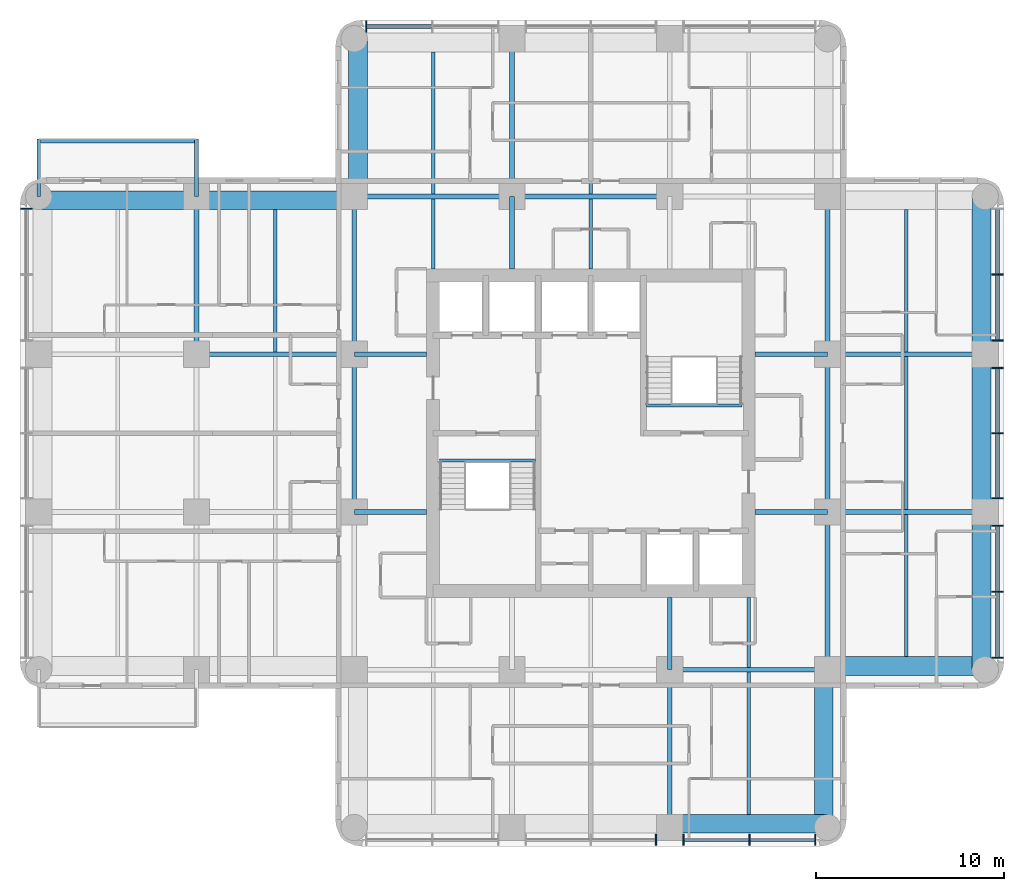
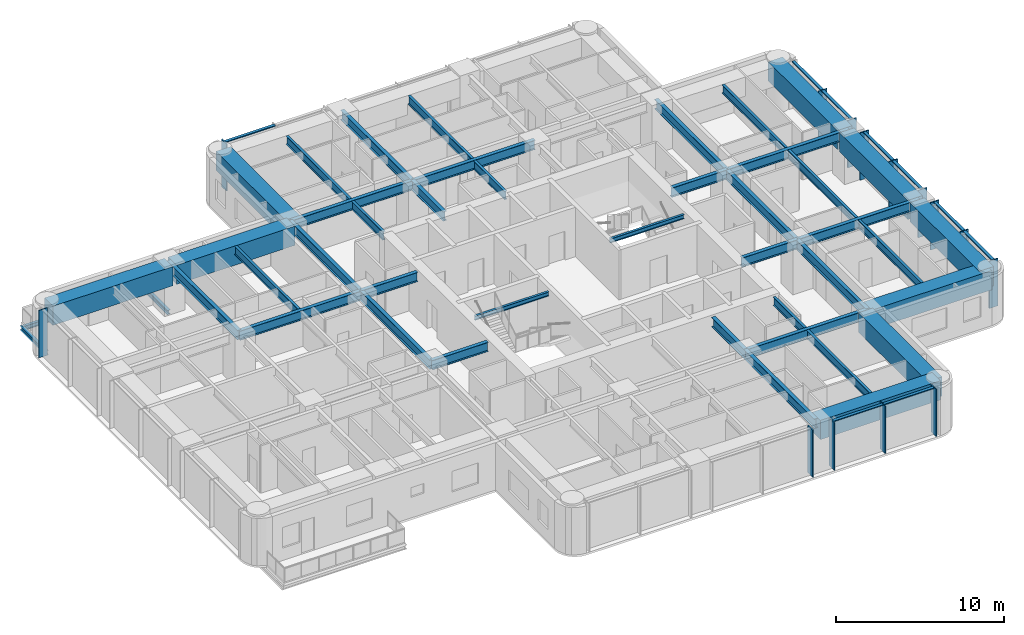
# One storey, part 2 of 11: 44 beams, 23 members, 4 elements without a shape of their own.
"""IFC4 building model written with IfcOpenShell, lengths in metres."""

from ifc_helpers import new_model, si_unit, direction, frame, origin, origin_2d, place, context, subcontext, project, spatial, rectangle, i_section, extrude, material, material_profile, profile_set, type_object, element, aggregate, save


model = new_model("IFC4")

# Units and contexts
model_context = context("Model", 3, precision=1e-05, world=origin(), true_north=direction((0.0, 1.0)))
body_context = subcontext(model_context, "Body", "Model", "MODEL_VIEW")
ifc_project = project(units=[si_unit("LENGTHUNIT", "METRE"), si_unit("AREAUNIT", "SQUARE_METRE"), si_unit("VOLUMEUNIT", "CUBIC_METRE"), si_unit("PLANEANGLEUNIT", "RADIAN"), si_unit("MASSUNIT", "GRAM", prefix="KILO")], contexts=[model_context])

# Site, building, storey
site_placement = place(None, origin())
site = spatial("IfcSite", under=ifc_project, at=site_placement, CompositionType="ELEMENT")
building_placement = place(site_placement, origin())
building = spatial("IfcBuilding", under=site, at=building_placement, Name="Torre Alcanfor", CompositionType="ELEMENT")
storey_placement = place(building_placement, frame((0.0, 0.0, 215.699951171875)))
storey = spatial("IfcBuildingStorey", under=building, at=storey_placement, Name="L56", CompositionType="ELEMENT", Elevation=215.699951171875)

# Beams
ifc_material_1 = material(Name="Steel ASTM A992 Grade 50", Category="steel")
ifc_material_profile_1 = material_profile(ifc_material_1, i_section(OverallWidth=0.205322265625, OverallDepth=0.309814453125, WebThickness=0.00927734375, FlangeThickness=0.016357421875, at=origin_2d()), Name="W12x50")
ifc_profile_set_1 = profile_set([ifc_material_profile_1], Name="Steel ASTM A992 Grade 50")
beam_type_1 = type_object("IfcBeamType", Name="Balcony cantilever beam W12x50", PredefinedType="BEAM", material=ifc_profile_set_1)
for number, where, z_axis, x_axis, name in (
    (1, (8.39990234375, 42.0, -0.35498046875), (0.0, 1.0, 0.0), (-1.0, 0.0, 0.0), "Balcony cantilever beam L56-W2 1"),
    (2, (0.0, 42.0, -0.35498046875), (0.0, 1.0, 0.0), (-1.0, 0.0, 0.0), "Balcony cantilever beam L56-W2 2"),
):
    element("IfcBeam", number, at=place(storey_placement, frame(where, z_axis=z_axis, x_axis=x_axis)), inside=storey, type_object=beam_type_1, Name=name, PredefinedType="BEAM", context=body_context, shape_type="SweptSolid", body=[
        extrude(i_section(OverallWidth=0.205322265625, OverallDepth=0.309814453125, WebThickness=0.00927734375, FlangeThickness=0.016357421875, at=origin_2d()), origin(), (0.0, 0.0, 1.0), 3.050048828125),
    ])
ifc_material_2 = material(Name="Steel ASTM A992 Grade 50", Category="steel")
ifc_material_profile_2 = material_profile(ifc_material_2, i_section(OverallWidth=0.203369140625, OverallDepth=0.30224609375, WebThickness=0.007568359375, FlangeThickness=0.01318359375, at=origin_2d()), Name="W12x40")
ifc_profile_set_2 = profile_set([ifc_material_profile_2], Name="Steel ASTM A992 Grade 50")
beam_type_2 = type_object("IfcBeamType", Name="Balcony edge trimmer W12x40", PredefinedType="BEAM", material=ifc_profile_set_2)
beam_1_placement = place(storey_placement, frame((8.39990234375, 44.9482421875, -0.35107421875), z_axis=(-1.0, 0.0, 0.0), x_axis=(0.0, -1.0, 0.0)))
element("IfcBeam", 3, at=beam_1_placement, inside=storey, type_object=beam_type_2, Name="Balcony edge trimmer L56-W2", PredefinedType="BEAM", context=body_context, shape_type="SweptSolid", body=[
    extrude(i_section(OverallWidth=0.203369140625, OverallDepth=0.30224609375, WebThickness=0.007568359375, FlangeThickness=0.01318359375, at=origin_2d()), origin(), (0.0, 0.0, 1.0), 8.39990234375),
])

# Curtain wall, member
ifc_material_3 = material(Name="Aluminium and glass", Category="aluminium")
curtain_wall_type = type_object("IfcCurtainWallType", Name="CW-A unitised apartment glazing with vertical FIN", PredefinedType="NOTDEFINED", material=ifc_material_3)
curtain_wall_1_placement = place(storey_placement, origin())
curtain_wall_1 = element("IfcCurtainWall", 4, at=curtain_wall_1_placement, inside=storey, type_object=curtain_wall_type, Name="Curtain wall CW-A L56 2", PredefinedType="NOTDEFINED")
ifc_material_4 = material(Name="Bronze anodised aluminium", Category="aluminium")
ifc_material_profile_3 = material_profile(ifc_material_4, rectangle(XDim=0.60009765625, YDim=0.06494140625, at=origin_2d()), Name="CW-A mullion 65x600")
ifc_profile_set_3 = profile_set([ifc_material_profile_3], Name="Bronze anodised aluminium")
member_type_1 = type_object("IfcMemberType", Name="CW-A mullion with vertical FIN 65x600", PredefinedType="MULLION", material=ifc_profile_set_3)
member_1_placement = place(storey_placement, frame((-0.64990234375, 41.35546875, 0.0), z_axis=(0.0, 0.0, 1.0), x_axis=(1.0, 0.0, 0.0)))
member_1 = element("IfcMember", 5, at=member_1_placement, type_object=member_type_1, Name="CW-A mullion 1.1", PredefinedType="MULLION", context=body_context, shape_type="SweptSolid", body=[
    extrude(rectangle(XDim=0.60009765625, YDim=0.06494140625, at=origin_2d()), origin(), (0.0, 0.0, 1.0), 3.449951171875),
])
aggregate(curtain_wall_1, [member_1])

# Curtain wall, members
curtain_wall_2_placement = place(storey_placement, origin())
curtain_wall_2 = element("IfcCurtainWall", 6, at=curtain_wall_2_placement, inside=storey, type_object=curtain_wall_type, Name="Curtain wall CW-A L56 5", PredefinedType="NOTDEFINED")
member_2_placement = place(storey_placement, frame((32.862548828125, 7.75, 0.0), z_axis=(0.0, 0.0, 1.0), x_axis=(0.0, 1.0, 0.0)))
member_2 = element("IfcMember", 7, at=member_2_placement, type_object=member_type_1, Name="CW-A mullion 2.3", PredefinedType="MULLION", context=body_context, shape_type="SweptSolid", body=[
    extrude(rectangle(XDim=0.60009765625, YDim=0.06494140625, at=origin_2d()), origin(), (0.0, 0.0, 1.0), 3.449951171875),
])
member_3_placement = place(storey_placement, frame((34.33740234375, 7.75, 0.0), z_axis=(0.0, 0.0, 1.0), x_axis=(0.0, 1.0, 0.0)))
member_3 = element("IfcMember", 8, at=member_3_placement, type_object=member_type_1, Name="CW-A mullion 3.1", PredefinedType="MULLION", context=body_context, shape_type="SweptSolid", body=[
    extrude(rectangle(XDim=0.60009765625, YDim=0.06494140625, at=origin_2d()), origin(), (0.0, 0.0, 1.0), 3.449951171875),
])
member_4_placement = place(storey_placement, frame((37.846435546875, 7.75, 0.0), z_axis=(0.0, 0.0, 1.0), x_axis=(0.0, 1.0, 0.0)))
member_4 = element("IfcMember", 9, at=member_4_placement, type_object=member_type_1, Name="CW-A mullion 3.2", PredefinedType="MULLION", context=body_context, shape_type="SweptSolid", body=[
    extrude(rectangle(XDim=0.60009765625, YDim=0.06494140625, at=origin_2d()), origin(), (0.0, 0.0, 1.0), 3.449951171875),
])
member_5_placement = place(storey_placement, frame((41.35546875, 7.75, 0.0), z_axis=(0.0, 0.0, 1.0), x_axis=(0.0, 1.0, 0.0)))
member_5 = element("IfcMember", 10, at=member_5_placement, type_object=member_type_1, Name="CW-A mullion 3.3", PredefinedType="MULLION", context=body_context, shape_type="SweptSolid", body=[
    extrude(rectangle(XDim=0.60009765625, YDim=0.06494140625, at=origin_2d()), origin(), (0.0, 0.0, 1.0), 3.449951171875),
])

curtain_wall_3_placement = place(storey_placement, origin())
curtain_wall_3 = element("IfcCurtainWall", 11, at=curtain_wall_3_placement, inside=storey, type_object=curtain_wall_type, Name="Curtain wall CW-A L56 8", PredefinedType="NOTDEFINED")
member_6_placement = place(storey_placement, frame((51.050048828125, 17.444580078125, 0.0), z_axis=(0.0, 0.0, 1.0), x_axis=(-1.0, 0.0, 0.0)))
member_6 = element("IfcMember", 12, at=member_6_placement, type_object=member_type_1, Name="CW-A mullion 1.1", PredefinedType="MULLION", context=body_context, shape_type="SweptSolid", body=[
    extrude(rectangle(XDim=0.60009765625, YDim=0.06494140625, at=origin_2d()), origin(), (0.0, 0.0, 1.0), 3.449951171875),
])
member_7_placement = place(storey_placement, frame((51.050048828125, 20.95361328125, 0.0), z_axis=(0.0, 0.0, 1.0), x_axis=(-1.0, 0.0, 0.0)))
member_7 = element("IfcMember", 13, at=member_7_placement, type_object=member_type_1, Name="CW-A mullion 1.2", PredefinedType="MULLION", context=body_context, shape_type="SweptSolid", body=[
    extrude(rectangle(XDim=0.60009765625, YDim=0.06494140625, at=origin_2d()), origin(), (0.0, 0.0, 1.0), 3.449951171875),
])
member_8_placement = place(storey_placement, frame((51.050048828125, 24.46240234375, 0.0), z_axis=(0.0, 0.0, 1.0), x_axis=(-1.0, 0.0, 0.0)))
member_8 = element("IfcMember", 14, at=member_8_placement, type_object=member_type_1, Name="CW-A mullion 1.3", PredefinedType="MULLION", context=body_context, shape_type="SweptSolid", body=[
    extrude(rectangle(XDim=0.60009765625, YDim=0.06494140625, at=origin_2d()), origin(), (0.0, 0.0, 1.0), 3.449951171875),
])
member_9_placement = place(storey_placement, frame((51.050048828125, 25.9375, 0.0), z_axis=(0.0, 0.0, 1.0), x_axis=(-1.0, 0.0, 0.0)))
member_9 = element("IfcMember", 15, at=member_9_placement, type_object=member_type_1, Name="CW-A mullion 2.1", PredefinedType="MULLION", context=body_context, shape_type="SweptSolid", body=[
    extrude(rectangle(XDim=0.60009765625, YDim=0.06494140625, at=origin_2d()), origin(), (0.0, 0.0, 1.0), 3.449951171875),
])
member_10_placement = place(storey_placement, frame((51.050048828125, 29.39990234375, 0.0), z_axis=(0.0, 0.0, 1.0), x_axis=(-1.0, 0.0, 0.0)))
member_10 = element("IfcMember", 16, at=member_10_placement, type_object=member_type_1, Name="CW-A mullion 2.2", PredefinedType="MULLION", context=body_context, shape_type="SweptSolid", body=[
    extrude(rectangle(XDim=0.60009765625, YDim=0.06494140625, at=origin_2d()), origin(), (0.0, 0.0, 1.0), 3.449951171875),
])
member_11_placement = place(storey_placement, frame((51.050048828125, 32.862548828125, 0.0), z_axis=(0.0, 0.0, 1.0), x_axis=(-1.0, 0.0, 0.0)))
member_11 = element("IfcMember", 17, at=member_11_placement, type_object=member_type_1, Name="CW-A mullion 2.3", PredefinedType="MULLION", context=body_context, shape_type="SweptSolid", body=[
    extrude(rectangle(XDim=0.60009765625, YDim=0.06494140625, at=origin_2d()), origin(), (0.0, 0.0, 1.0), 3.449951171875),
])
member_12_placement = place(storey_placement, frame((51.050048828125, 34.33740234375, 0.0), z_axis=(0.0, 0.0, 1.0), x_axis=(-1.0, 0.0, 0.0)))
member_12 = element("IfcMember", 18, at=member_12_placement, type_object=member_type_1, Name="CW-A mullion 3.1", PredefinedType="MULLION", context=body_context, shape_type="SweptSolid", body=[
    extrude(rectangle(XDim=0.60009765625, YDim=0.06494140625, at=origin_2d()), origin(), (0.0, 0.0, 1.0), 3.449951171875),
])
member_13_placement = place(storey_placement, frame((51.050048828125, 37.846435546875, 0.0), z_axis=(0.0, 0.0, 1.0), x_axis=(-1.0, 0.0, 0.0)))
member_13 = element("IfcMember", 19, at=member_13_placement, type_object=member_type_1, Name="CW-A mullion 3.2", PredefinedType="MULLION", context=body_context, shape_type="SweptSolid", body=[
    extrude(rectangle(XDim=0.60009765625, YDim=0.06494140625, at=origin_2d()), origin(), (0.0, 0.0, 1.0), 3.449951171875),
])

# Curtain wall, member
curtain_wall_4_placement = place(storey_placement, origin())
curtain_wall_4 = element("IfcCurtainWall", 20, at=curtain_wall_4_placement, inside=storey, type_object=curtain_wall_type, Name="Curtain wall CW-A L56 11", PredefinedType="NOTDEFINED")
member_14_placement = place(storey_placement, frame((17.444580078125, 51.050048828125, 0.0), z_axis=(0.0, 0.0, 1.0), x_axis=(0.0, -1.0, 0.0)))
member_14 = element("IfcMember", 21, at=member_14_placement, type_object=member_type_1, Name="CW-A mullion 3.3", PredefinedType="MULLION", context=body_context, shape_type="SweptSolid", body=[
    extrude(rectangle(XDim=0.60009765625, YDim=0.06494140625, at=origin_2d()), origin(), (0.0, 0.0, 1.0), 3.449951171875),
])

# Member
ifc_material_5 = material(Name="Extruded aluminium", Category="aluminium")
ifc_material_profile_4 = material_profile(ifc_material_5, rectangle(XDim=0.199951171875, YDim=0.06494140625, at=origin_2d()), Name="CW-A transom 200x65")
ifc_profile_set_4 = profile_set([ifc_material_profile_4], Name="Extruded aluminium")
member_type_2 = type_object("IfcMemberType", Name="CW-A transom 65x200", PredefinedType="USERDEFINED", material=ifc_profile_set_4)
member_15_placement = place(storey_placement, frame((34.3701171875, 7.75, 3.41748046875), z_axis=(1.0, 0.0, 0.0), x_axis=(0.0, 1.0, 0.0)))
member_15 = element("IfcMember", 22, at=member_15_placement, type_object=member_type_2, Name="CW-A transom 3.1.2", ObjectType="TRANSOM", PredefinedType="USERDEFINED", context=body_context, shape_type="SweptSolid", body=[
    extrude(rectangle(XDim=0.199951171875, YDim=0.06494140625, at=origin_2d()), origin(), (0.0, 0.0, 1.0), 3.44384765625),
])

member_16_placement = place(storey_placement, frame((37.87890625, 7.75, 3.41748046875), z_axis=(1.0, 0.0, 0.0), x_axis=(0.0, 1.0, 0.0)))
member_16 = element("IfcMember", 23, at=member_16_placement, type_object=member_type_2, Name="CW-A transom 3.2.2", ObjectType="TRANSOM", PredefinedType="USERDEFINED", context=body_context, shape_type="SweptSolid", body=[
    extrude(rectangle(XDim=0.199951171875, YDim=0.06494140625, at=origin_2d()), origin(), (0.0, 0.0, 1.0), 3.444091796875),
])

aggregate(curtain_wall_2, [member_2, member_3, member_4, member_5, member_15, member_16])

member_17_placement = place(storey_placement, frame((51.050048828125, 17.47705078125, 3.41748046875), z_axis=(0.0, 1.0, 0.0), x_axis=(-1.0, 0.0, 0.0)))
member_17 = element("IfcMember", 24, at=member_17_placement, type_object=member_type_2, Name="CW-A transom 1.1.2", ObjectType="TRANSOM", PredefinedType="USERDEFINED", context=body_context, shape_type="SweptSolid", body=[
    extrude(rectangle(XDim=0.199951171875, YDim=0.06494140625, at=origin_2d()), origin(), (0.0, 0.0, 1.0), 3.44384765625),
])

member_18_placement = place(storey_placement, frame((51.050048828125, 20.986083984375, 3.41748046875), z_axis=(0.0, 1.0, 0.0), x_axis=(-1.0, 0.0, 0.0)))
member_18 = element("IfcMember", 25, at=member_18_placement, type_object=member_type_2, Name="CW-A transom 1.2.2", ObjectType="TRANSOM", PredefinedType="USERDEFINED", context=body_context, shape_type="SweptSolid", body=[
    extrude(rectangle(XDim=0.199951171875, YDim=0.06494140625, at=origin_2d()), origin(), (0.0, 0.0, 1.0), 3.44384765625),
])

member_19_placement = place(storey_placement, frame((51.050048828125, 25.969970703125, 3.41748046875), z_axis=(0.0, 1.0, 0.0), x_axis=(-1.0, 0.0, 0.0)))
member_19 = element("IfcMember", 26, at=member_19_placement, type_object=member_type_2, Name="CW-A transom 2.1.2", ObjectType="TRANSOM", PredefinedType="USERDEFINED", context=body_context, shape_type="SweptSolid", body=[
    extrude(rectangle(XDim=0.199951171875, YDim=0.06494140625, at=origin_2d()), origin(), (0.0, 0.0, 1.0), 3.3974609375),
])

member_20_placement = place(storey_placement, frame((51.050048828125, 29.4326171875, 3.41748046875), z_axis=(0.0, 1.0, 0.0), x_axis=(-1.0, 0.0, 0.0)))
member_20 = element("IfcMember", 27, at=member_20_placement, type_object=member_type_2, Name="CW-A transom 2.2.2", ObjectType="TRANSOM", PredefinedType="USERDEFINED", context=body_context, shape_type="SweptSolid", body=[
    extrude(rectangle(XDim=0.199951171875, YDim=0.06494140625, at=origin_2d()), origin(), (0.0, 0.0, 1.0), 3.3974609375),
])

member_21_placement = place(storey_placement, frame((51.050048828125, 34.3701171875, 3.41748046875), z_axis=(0.0, 1.0, 0.0), x_axis=(-1.0, 0.0, 0.0)))
member_21 = element("IfcMember", 28, at=member_21_placement, type_object=member_type_2, Name="CW-A transom 3.1.2", ObjectType="TRANSOM", PredefinedType="USERDEFINED", context=body_context, shape_type="SweptSolid", body=[
    extrude(rectangle(XDim=0.199951171875, YDim=0.06494140625, at=origin_2d()), origin(), (0.0, 0.0, 1.0), 3.44384765625),
])

member_22_placement = place(storey_placement, frame((51.050048828125, 37.87890625, 3.41748046875), z_axis=(0.0, 1.0, 0.0), x_axis=(-1.0, 0.0, 0.0)))
member_22 = element("IfcMember", 29, at=member_22_placement, type_object=member_type_2, Name="CW-A transom 3.2.2", ObjectType="TRANSOM", PredefinedType="USERDEFINED", context=body_context, shape_type="SweptSolid", body=[
    extrude(rectangle(XDim=0.199951171875, YDim=0.06494140625, at=origin_2d()), origin(), (0.0, 0.0, 1.0), 3.444091796875),
])

aggregate(curtain_wall_3, [member_6, member_7, member_8, member_17, member_18, member_9, member_10, member_11, member_19, member_20, member_12, member_13, member_21, member_22])

member_23_placement = place(storey_placement, frame((20.9208984375, 51.050048828125, 3.41748046875), z_axis=(-1.0, 0.0, 0.0), x_axis=(0.0, -1.0, 0.0)))
member_23 = element("IfcMember", 30, at=member_23_placement, type_object=member_type_2, Name="CW-A transom 3.2.2", ObjectType="TRANSOM", PredefinedType="USERDEFINED", context=body_context, shape_type="SweptSolid", body=[
    extrude(rectangle(XDim=0.199951171875, YDim=0.06494140625, at=origin_2d()), origin(), (0.0, 0.0, 1.0), 3.44384765625),
])

aggregate(curtain_wall_4, [member_14, member_23])

# Beams
ifc_material_6 = material(Name="Steel ASTM A992 Grade 50", Category="steel")
ifc_material_profile_5 = material_profile(ifc_material_6, i_section(OverallWidth=0.25390625, OverallDepth=0.683349609375, WebThickness=0.012451171875, FlangeThickness=0.01904296875, at=origin_2d()), Name="W27x94")
ifc_profile_set_5 = profile_set([ifc_material_profile_5], Name="Steel ASTM A992 Grade 50")
beam_type_3 = type_object("IfcBeamType", Name="Girder W27x94", PredefinedType="BEAM", material=ifc_profile_set_5)
for number, where, z_axis, x_axis, name in (
    (31, (33.60009765625, 16.800048828125, 3.1083984375), (1.0, 0.0, 0.0), (0.0, 1.0, 0.0), "Beam 5E-6E under L57"),
    (32, (42.0, 25.199951171875, 3.1083984375), (1.0, 0.0, 0.0), (0.0, 1.0, 0.0), "Beam 6F-7F under L57"),
):
    element("IfcBeam", number, at=place(storey_placement, frame(where, z_axis=z_axis, x_axis=x_axis)), inside=storey, type_object=beam_type_3, Name=name, PredefinedType="BEAM", context=body_context, shape_type="SweptSolid", body=[
        extrude(i_section(OverallWidth=0.25390625, OverallDepth=0.683349609375, WebThickness=0.012451171875, FlangeThickness=0.01904296875, at=origin_2d()), origin(), (0.0, 0.0, 1.0), 8.39990234375),
    ])
beam_2_placement = place(storey_placement, frame((8.39990234375, 33.60009765625, 3.1083984375), z_axis=(1.0, 0.0, 0.0), x_axis=(0.0, 1.0, 0.0)))
element("IfcBeam", 33, at=beam_2_placement, inside=storey, type_object=beam_type_3, Name="Beam 2G-3G under L57", PredefinedType="BEAM", context=body_context, shape_type="SweptSolid", body=[
    extrude(i_section(OverallWidth=0.25390625, OverallDepth=0.683349609375, WebThickness=0.012451171875, FlangeThickness=0.01904296875, at=origin_2d()), origin(), (0.0, 0.0, 1.0), 8.400146484375),
])
for number, where, z_axis, x_axis, name in (
    (34, (42.0, 33.60009765625, 3.1083984375), (1.0, 0.0, 0.0), (0.0, 1.0, 0.0), "Beam 6G-7G under L57"),
    (35, (16.800048828125, 42.0, 3.1083984375), (1.0, 0.0, 0.0), (0.0, 1.0, 0.0), "Beam 3H-4H under L57"),
):
    element("IfcBeam", number, at=place(storey_placement, frame(where, z_axis=z_axis, x_axis=x_axis)), inside=storey, type_object=beam_type_3, Name=name, PredefinedType="BEAM", context=body_context, shape_type="SweptSolid", body=[
        extrude(i_section(OverallWidth=0.25390625, OverallDepth=0.683349609375, WebThickness=0.012451171875, FlangeThickness=0.01904296875, at=origin_2d()), origin(), (0.0, 0.0, 1.0), 8.39990234375),
    ])
beam_3_placement = place(storey_placement, frame((25.199951171875, 42.0, 3.1083984375), z_axis=(1.0, 0.0, 0.0), x_axis=(0.0, 1.0, 0.0)))
element("IfcBeam", 36, at=beam_3_placement, inside=storey, type_object=beam_type_3, Name="Beam 4H-5H under L57", PredefinedType="BEAM", context=body_context, shape_type="SweptSolid", body=[
    extrude(i_section(OverallWidth=0.25390625, OverallDepth=0.683349609375, WebThickness=0.012451171875, FlangeThickness=0.01904296875, at=origin_2d()), origin(), (0.0, 0.0, 1.0), 8.400146484375),
])
beam_4_placement = place(storey_placement, frame((8.39990234375, 33.60009765625, 3.1083984375), z_axis=(0.0, 1.0, 0.0), x_axis=(-1.0, 0.0, 0.0)))
element("IfcBeam", 37, at=beam_4_placement, inside=storey, type_object=beam_type_3, Name="Beam 2G-2H under L57", PredefinedType="BEAM", context=body_context, shape_type="SweptSolid", body=[
    extrude(i_section(OverallWidth=0.25390625, OverallDepth=0.683349609375, WebThickness=0.012451171875, FlangeThickness=0.01904296875, at=origin_2d()), origin(), (0.0, 0.0, 1.0), 8.39990234375),
])
beam_5_placement = place(storey_placement, frame((16.800048828125, 25.199951171875, 3.1083984375), z_axis=(0.0, 1.0, 0.0), x_axis=(-1.0, 0.0, 0.0)))
element("IfcBeam", 38, at=beam_5_placement, inside=storey, type_object=beam_type_3, Name="Beam 3F-3G under L57", PredefinedType="BEAM", context=body_context, shape_type="SweptSolid", body=[
    extrude(i_section(OverallWidth=0.25390625, OverallDepth=0.683349609375, WebThickness=0.012451171875, FlangeThickness=0.01904296875, at=origin_2d()), origin(), (0.0, 0.0, 1.0), 8.400146484375),
])
for number, where, z_axis, x_axis, name in (
    (39, (16.800048828125, 33.60009765625, 3.1083984375), (0.0, 1.0, 0.0), (-1.0, 0.0, 0.0), "Beam 3G-3H under L57"),
    (40, (25.199951171875, 42.0, 3.1083984375), (0.0, 1.0, 0.0), (-1.0, 0.0, 0.0), "Beam 4H-4J under L57"),
):
    element("IfcBeam", number, at=place(storey_placement, frame(where, z_axis=z_axis, x_axis=x_axis)), inside=storey, type_object=beam_type_3, Name=name, PredefinedType="BEAM", context=body_context, shape_type="SweptSolid", body=[
        extrude(i_section(OverallWidth=0.25390625, OverallDepth=0.683349609375, WebThickness=0.012451171875, FlangeThickness=0.01904296875, at=origin_2d()), origin(), (0.0, 0.0, 1.0), 8.39990234375),
    ])
beam_6_placement = place(storey_placement, frame((33.60009765625, 8.39990234375, 3.1083984375), z_axis=(0.0, 1.0, 0.0), x_axis=(-1.0, 0.0, 0.0)))
element("IfcBeam", 41, at=beam_6_placement, inside=storey, type_object=beam_type_3, Name="Beam 5D-5E under L57", PredefinedType="BEAM", context=body_context, shape_type="SweptSolid", body=[
    extrude(i_section(OverallWidth=0.25390625, OverallDepth=0.683349609375, WebThickness=0.012451171875, FlangeThickness=0.01904296875, at=origin_2d()), origin(), (0.0, 0.0, 1.0), 8.400146484375),
])
beam_7_placement = place(storey_placement, frame((42.0, 16.800048828125, 3.1083984375), z_axis=(0.0, 1.0, 0.0), x_axis=(-1.0, 0.0, 0.0)))
element("IfcBeam", 42, at=beam_7_placement, inside=storey, type_object=beam_type_3, Name="Beam 6E-6F under L57", PredefinedType="BEAM", context=body_context, shape_type="SweptSolid", body=[
    extrude(i_section(OverallWidth=0.25390625, OverallDepth=0.683349609375, WebThickness=0.012451171875, FlangeThickness=0.01904296875, at=origin_2d()), origin(), (0.0, 0.0, 1.0), 8.39990234375),
])
beam_8_placement = place(storey_placement, frame((42.0, 25.199951171875, 3.1083984375), z_axis=(0.0, 1.0, 0.0), x_axis=(-1.0, 0.0, 0.0)))
element("IfcBeam", 43, at=beam_8_placement, inside=storey, type_object=beam_type_3, Name="Beam 6F-6G under L57", PredefinedType="BEAM", context=body_context, shape_type="SweptSolid", body=[
    extrude(i_section(OverallWidth=0.25390625, OverallDepth=0.683349609375, WebThickness=0.012451171875, FlangeThickness=0.01904296875, at=origin_2d()), origin(), (0.0, 0.0, 1.0), 8.400146484375),
])
beam_9_placement = place(storey_placement, frame((42.0, 33.60009765625, 3.1083984375), z_axis=(0.0, 1.0, 0.0), x_axis=(-1.0, 0.0, 0.0)))
element("IfcBeam", 44, at=beam_9_placement, inside=storey, type_object=beam_type_3, Name="Beam 6G-6H under L57", PredefinedType="BEAM", context=body_context, shape_type="SweptSolid", body=[
    extrude(i_section(OverallWidth=0.25390625, OverallDepth=0.683349609375, WebThickness=0.012451171875, FlangeThickness=0.01904296875, at=origin_2d()), origin(), (0.0, 0.0, 1.0), 8.39990234375),
])
ifc_material_7 = material(Name="Steel ASTM A992 Grade 50", Category="steel")
ifc_material_profile_6 = material_profile(ifc_material_7, i_section(OverallWidth=0.25390625, OverallDepth=0.683349609375, WebThickness=0.012451171875, FlangeThickness=0.01904296875, at=origin_2d()), Name="W27x94")
ifc_profile_set_6 = profile_set([ifc_material_profile_6], Name="Steel ASTM A992 Grade 50")
beam_type_4 = type_object("IfcBeamType", Name="Girder, part bay W27x94", PredefinedType="BEAM", material=ifc_profile_set_6)
beam_10_placement = place(storey_placement, frame((25.199951171875, 42.0, 3.1083984375), z_axis=(0.0, -1.0, 0.0), x_axis=(1.0, 0.0, 0.0)))
element("IfcBeam", 45, at=beam_10_placement, inside=storey, type_object=beam_type_4, Name="Beam 4H-438_15 under L57", PredefinedType="BEAM", context=body_context, shape_type="SweptSolid", body=[
    extrude(i_section(OverallWidth=0.25390625, OverallDepth=0.683349609375, WebThickness=0.012451171875, FlangeThickness=0.01904296875, at=origin_2d()), origin(), (0.0, 0.0, 1.0), 3.85009765625),
])
for number, where, z_axis, x_axis, name in (
    (46, (33.60009765625, 16.800048828125, 3.1083984375), (0.0, 1.0, 0.0), (-1.0, 0.0, 0.0), "Beam 5E-520_65 under L57"),
    (47, (16.800048828125, 25.199951171875, 3.1083984375), (1.0, 0.0, 0.0), (0.0, 1.0, 0.0), "Beam 3F-20_65F under L57"),
):
    element("IfcBeam", number, at=place(storey_placement, frame(where, z_axis=z_axis, x_axis=x_axis)), inside=storey, type_object=beam_type_4, Name=name, PredefinedType="BEAM", context=body_context, shape_type="SweptSolid", body=[
        extrude(i_section(OverallWidth=0.25390625, OverallDepth=0.683349609375, WebThickness=0.012451171875, FlangeThickness=0.01904296875, at=origin_2d()), origin(), (0.0, 0.0, 1.0), 3.849853515625),
    ])
beam_11_placement = place(storey_placement, frame((42.0, 25.199951171875, 3.1083984375), z_axis=(-1.0, 0.0, 0.0), x_axis=(0.0, -1.0, 0.0)))
element("IfcBeam", 48, at=beam_11_placement, inside=storey, type_object=beam_type_4, Name="Beam 6F-38_15F under L57", PredefinedType="BEAM", context=body_context, shape_type="SweptSolid", body=[
    extrude(i_section(OverallWidth=0.25390625, OverallDepth=0.683349609375, WebThickness=0.012451171875, FlangeThickness=0.01904296875, at=origin_2d()), origin(), (0.0, 0.0, 1.0), 3.85009765625),
])
beam_12_placement = place(storey_placement, frame((16.800048828125, 33.60009765625, 3.1083984375), z_axis=(1.0, 0.0, 0.0), x_axis=(0.0, 1.0, 0.0)))
element("IfcBeam", 49, at=beam_12_placement, inside=storey, type_object=beam_type_4, Name="Beam 3G-20_65G under L57", PredefinedType="BEAM", context=body_context, shape_type="SweptSolid", body=[
    extrude(i_section(OverallWidth=0.25390625, OverallDepth=0.683349609375, WebThickness=0.012451171875, FlangeThickness=0.01904296875, at=origin_2d()), origin(), (0.0, 0.0, 1.0), 3.849853515625),
])
beam_13_placement = place(storey_placement, frame((42.0, 33.60009765625, 3.1083984375), z_axis=(-1.0, 0.0, 0.0), x_axis=(0.0, -1.0, 0.0)))
element("IfcBeam", 50, at=beam_13_placement, inside=storey, type_object=beam_type_4, Name="Beam 6G-38_15G under L57", PredefinedType="BEAM", context=body_context, shape_type="SweptSolid", body=[
    extrude(i_section(OverallWidth=0.25390625, OverallDepth=0.683349609375, WebThickness=0.012451171875, FlangeThickness=0.01904296875, at=origin_2d()), origin(), (0.0, 0.0, 1.0), 3.85009765625),
])
ifc_material_8 = material(Name="Concrete f'c 70 MPa", Category="concrete")
ifc_material_profile_7 = material_profile(ifc_material_8, rectangle(XDim=1.0, YDim=1.39990234375, at=origin_2d()), Name="1000x1400")
ifc_profile_set_7 = profile_set([ifc_material_profile_7], Name="Concrete f'c 70 MPa")
beam_type_5 = type_object("IfcBeamType", Name="RC perimeter beam 1000x1400", PredefinedType="BEAM", material=ifc_profile_set_7)
for number, where, z_axis, x_axis, name in (
    (51, (33.72705078125, 8.60009765625, 2.75), (1.0, 0.0, 0.0), (0.0, 1.0, 0.0), "Beam 5D-6D under L57"),
    (52, (42.126953125, 17.0, 2.75), (1.0, 0.0, 0.0), (0.0, 1.0, 0.0), "Beam 6E-7E under L57"),
    (53, (0.0, 41.800048828125, 2.75), (1.0, 0.0, 0.0), (0.0, 1.0, 0.0), "Beam 1H-2H under L57"),
):
    element("IfcBeam", number, at=place(storey_placement, frame(where, z_axis=z_axis, x_axis=x_axis)), inside=storey, type_object=beam_type_5, Name=name, PredefinedType="BEAM", context=body_context, shape_type="SweptSolid", body=[
        extrude(rectangle(XDim=1.0, YDim=1.39990234375, at=origin_2d()), origin(), (0.0, 0.0, 1.0), 8.27294921875),
    ])
beam_14_placement = place(storey_placement, frame((8.527099609375, 41.800048828125, 2.75), z_axis=(1.0, 0.0, 0.0), x_axis=(0.0, 1.0, 0.0)))
element("IfcBeam", 54, at=beam_14_placement, inside=storey, type_object=beam_type_5, Name="Beam 2H-3H under L57", PredefinedType="BEAM", context=body_context, shape_type="SweptSolid", body=[
    extrude(rectangle(XDim=1.0, YDim=1.39990234375, at=origin_2d()), origin(), (0.0, 0.0, 1.0), 8.14599609375),
])
beam_15_placement = place(storey_placement, frame((17.0, 42.126953125, 2.75), z_axis=(0.0, 1.0, 0.0), x_axis=(-1.0, 0.0, 0.0)))
element("IfcBeam", 55, at=beam_15_placement, inside=storey, type_object=beam_type_5, Name="Beam 3H-3J under L57", PredefinedType="BEAM", context=body_context, shape_type="SweptSolid", body=[
    extrude(rectangle(XDim=1.0, YDim=1.39990234375, at=origin_2d()), origin(), (0.0, 0.0, 1.0), 8.27294921875),
])
beam_16_placement = place(storey_placement, frame((41.800048828125, 8.39990234375, 2.75), z_axis=(0.0, 1.0, 0.0), x_axis=(-1.0, 0.0, 0.0)))
element("IfcBeam", 56, at=beam_16_placement, inside=storey, type_object=beam_type_5, Name="Beam 6D-6E under L57", PredefinedType="BEAM", context=body_context, shape_type="SweptSolid", body=[
    extrude(rectangle(XDim=1.0, YDim=1.39990234375, at=origin_2d()), origin(), (0.0, 0.0, 1.0), 8.273193359375),
])
beam_17_placement = place(storey_placement, frame((50.199951171875, 16.800048828125, 2.75), z_axis=(0.0, 1.0, 0.0), x_axis=(-1.0, 0.0, 0.0)))
element("IfcBeam", 57, at=beam_17_placement, inside=storey, type_object=beam_type_5, Name="Beam 7E-7F under L57", PredefinedType="BEAM", context=body_context, shape_type="SweptSolid", body=[
    extrude(rectangle(XDim=1.0, YDim=1.39990234375, at=origin_2d()), origin(), (0.0, 0.0, 1.0), 8.27294921875),
])
beam_18_placement = place(storey_placement, frame((50.199951171875, 25.326904296875, 2.75), z_axis=(0.0, 1.0, 0.0), x_axis=(-1.0, 0.0, 0.0)))
element("IfcBeam", 58, at=beam_18_placement, inside=storey, type_object=beam_type_5, Name="Beam 7F-7G under L57", PredefinedType="BEAM", context=body_context, shape_type="SweptSolid", body=[
    extrude(rectangle(XDim=1.0, YDim=1.39990234375, at=origin_2d()), origin(), (0.0, 0.0, 1.0), 8.14599609375),
])
beam_19_placement = place(storey_placement, frame((50.199951171875, 33.72705078125, 2.75), z_axis=(0.0, 1.0, 0.0), x_axis=(-1.0, 0.0, 0.0)))
element("IfcBeam", 59, at=beam_19_placement, inside=storey, type_object=beam_type_5, Name="Beam 7G-7H under L57", PredefinedType="BEAM", context=body_context, shape_type="SweptSolid", body=[
    extrude(rectangle(XDim=1.0, YDim=1.39990234375, at=origin_2d()), origin(), (0.0, 0.0, 1.0), 8.27294921875),
])
ifc_material_9 = material(Name="Steel ASTM A992 Grade 50", Category="steel")
ifc_material_profile_8 = material_profile(ifc_material_9, i_section(OverallWidth=0.1787109375, OverallDepth=0.60205078125, WebThickness=0.010986328125, FlangeThickness=0.014892578125, at=origin_2d()), Name="W24x62")
ifc_profile_set_8 = profile_set([ifc_material_profile_8], Name="Steel ASTM A992 Grade 50")
beam_type_6 = type_object("IfcBeamType", Name="Secondary beam W24x62", PredefinedType="BEAM", material=ifc_profile_set_8)
for number, where, z_axis, x_axis, name in (
    (60, (12.60009765625, 33.72705078125, 3.149169921875), (0.0, 1.0, 0.0), (-1.0, 0.0, 0.0), "Beam 12_6G-12_6H under L57"),
    (61, (21.0, 42.126953125, 3.149169921875), (0.0, 1.0, 0.0), (-1.0, 0.0, 0.0), "Beam 21H-21J under L57"),
    (62, (29.39990234375, 42.126953125, 3.149169921875), (0.0, 1.0, 0.0), (-1.0, 0.0, 0.0), "Beam 29_4H-29_4J under L57"),
    (63, (37.800048828125, 9.10009765625, 3.149169921875), (0.0, 1.0, 0.0), (-1.0, 0.0, 0.0), "Beam 37_8D-37_8E under L57"),
    (64, (46.199951171875, 17.5, 3.149169921875), (0.0, 1.0, 0.0), (-1.0, 0.0, 0.0), "Beam 46_2E-46_2F under L57"),
):
    element("IfcBeam", number, at=place(storey_placement, frame(where, z_axis=z_axis, x_axis=x_axis)), inside=storey, type_object=beam_type_6, Name=name, PredefinedType="BEAM", context=body_context, shape_type="SweptSolid", body=[
        extrude(i_section(OverallWidth=0.1787109375, OverallDepth=0.60205078125, WebThickness=0.010986328125, FlangeThickness=0.014892578125, at=origin_2d()), origin(), (0.0, 0.0, 1.0), 7.572998046875),
    ])
beam_20_placement = place(storey_placement, frame((46.199951171875, 25.326904296875, 3.149169921875), z_axis=(0.0, 1.0, 0.0), x_axis=(-1.0, 0.0, 0.0)))
element("IfcBeam", 65, at=beam_20_placement, inside=storey, type_object=beam_type_6, Name="Beam 46_2F-46_2G under L57", PredefinedType="BEAM", context=body_context, shape_type="SweptSolid", body=[
    extrude(i_section(OverallWidth=0.1787109375, OverallDepth=0.60205078125, WebThickness=0.010986328125, FlangeThickness=0.014892578125, at=origin_2d()), origin(), (0.0, 0.0, 1.0), 8.14599609375),
])
beam_21_placement = place(storey_placement, frame((46.199951171875, 33.72705078125, 3.149169921875), z_axis=(0.0, 1.0, 0.0), x_axis=(-1.0, 0.0, 0.0)))
element("IfcBeam", 66, at=beam_21_placement, inside=storey, type_object=beam_type_6, Name="Beam 46_2G-46_2H under L57", PredefinedType="BEAM", context=body_context, shape_type="SweptSolid", body=[
    extrude(i_section(OverallWidth=0.1787109375, OverallDepth=0.60205078125, WebThickness=0.010986328125, FlangeThickness=0.014892578125, at=origin_2d()), origin(), (0.0, 0.0, 1.0), 7.572998046875),
])
ifc_material_10 = material(Name="Steel ASTM A992 Grade 50", Category="steel")
ifc_material_profile_9 = material_profile(ifc_material_10, i_section(OverallWidth=0.1787109375, OverallDepth=0.60205078125, WebThickness=0.010986328125, FlangeThickness=0.014892578125, at=origin_2d()), Name="W24x62")
ifc_profile_set_9 = profile_set([ifc_material_profile_9], Name="Steel ASTM A992 Grade 50")
beam_type_7 = type_object("IfcBeamType", Name="Secondary beam, part bay W24x62", PredefinedType="BEAM", material=ifc_profile_set_9)
for number, where, z_axis, x_axis, name in (
    (67, (21.0, 38.14990234375, 3.149169921875), (0.0, 1.0, 0.0), (-1.0, 0.0, 0.0), "Beam 2138_15-21H under L57"),
    (68, (29.39990234375, 38.14990234375, 3.149169921875), (0.0, 1.0, 0.0), (-1.0, 0.0, 0.0), "Beam 29_438_15-29_4H under L57"),
):
    element("IfcBeam", number, at=place(storey_placement, frame(where, z_axis=z_axis, x_axis=x_axis)), inside=storey, type_object=beam_type_7, Name=name, PredefinedType="BEAM", context=body_context, shape_type="SweptSolid", body=[
        extrude(i_section(OverallWidth=0.1787109375, OverallDepth=0.60205078125, WebThickness=0.010986328125, FlangeThickness=0.014892578125, at=origin_2d()), origin(), (0.0, 0.0, 1.0), 3.72314453125),
    ])
beam_22_placement = place(storey_placement, frame((37.800048828125, 16.927001953125, 3.149169921875), z_axis=(0.0, 1.0, 0.0), x_axis=(-1.0, 0.0, 0.0)))
element("IfcBeam", 69, at=beam_22_placement, inside=storey, type_object=beam_type_7, Name="Beam 37_8E-37_820_65 under L57", PredefinedType="BEAM", context=body_context, shape_type="SweptSolid", body=[
    extrude(i_section(OverallWidth=0.1787109375, OverallDepth=0.60205078125, WebThickness=0.010986328125, FlangeThickness=0.014892578125, at=origin_2d()), origin(), (0.0, 0.0, 1.0), 3.722900390625),
])
ifc_material_11 = material(Name="Steel ASTM A992 Grade 50", Category="steel")
ifc_material_profile_10 = material_profile(ifc_material_11, i_section(OverallWidth=0.164794921875, OverallDepth=0.309814453125, WebThickness=0.005859375, FlangeThickness=0.009765625, at=origin_2d()), Name="W12x26")
ifc_profile_set_10 = profile_set([ifc_material_profile_10], Name="Steel ASTM A992 Grade 50")
beam_type_8 = type_object("IfcBeamType", Name="Stair landing beam W12x26", PredefinedType="BEAM", material=ifc_profile_set_10)
for number, where, z_axis, x_axis, name in (
    (70, (21.35009765625, 27.9375, 3.2451171875), (1.0, 0.0, 0.0), (0.0, 1.0, 0.0), "Landing trimmer S1 L57"),
    (71, (32.35009765625, 30.862548828125, 3.2451171875), (1.0, 0.0, 0.0), (0.0, 1.0, 0.0), "Landing trimmer S2 L57"),
):
    element("IfcBeam", number, at=place(storey_placement, frame(where, z_axis=z_axis, x_axis=x_axis)), inside=storey, type_object=beam_type_8, Name=name, PredefinedType="BEAM", context=body_context, shape_type="SweptSolid", body=[
        extrude(i_section(OverallWidth=0.164794921875, OverallDepth=0.309814453125, WebThickness=0.005859375, FlangeThickness=0.009765625, at=origin_2d()), origin(), (0.0, 0.0, 1.0), 5.099853515625),
    ])

save(model, "model.ifc")
